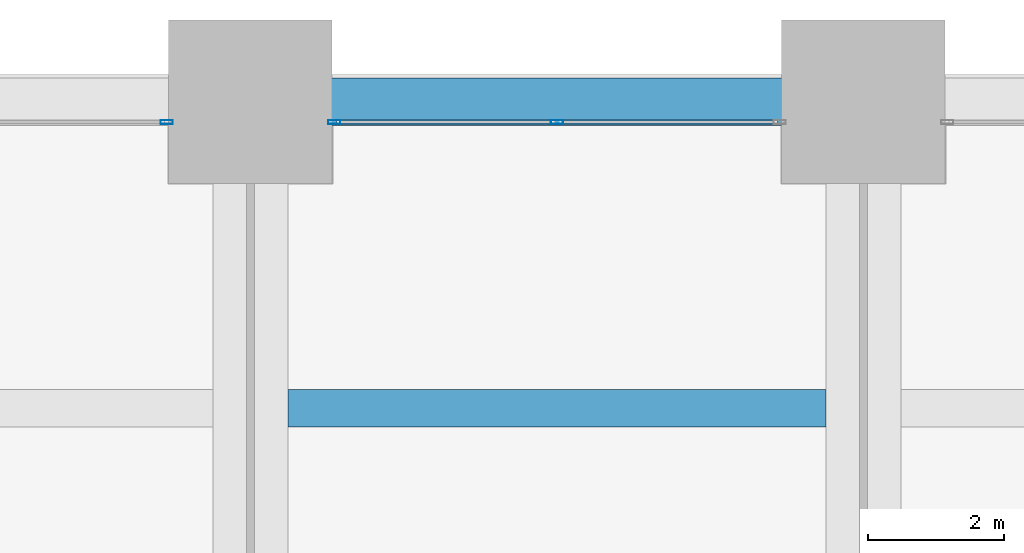
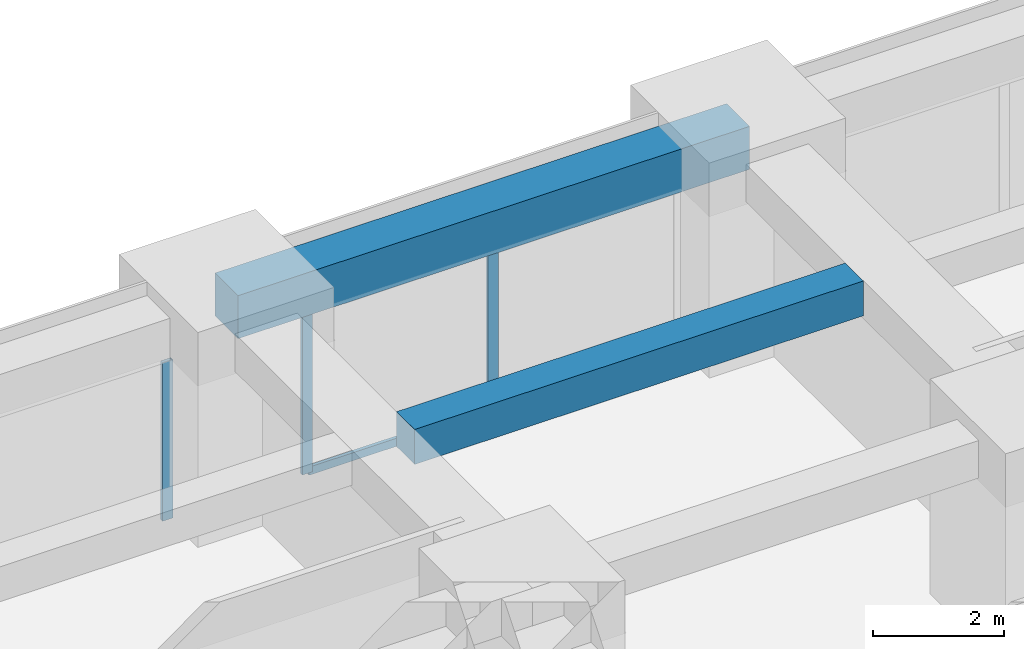
# One storey, part 30 of 45: 4 members, 2 beams, 2 elements without a shape of their own.
"""IFC4 building model written with IfcOpenShell, lengths in metres."""

from ifc_helpers import new_model, si_unit, direction, frame, origin, origin_2d, place, context, subcontext, project, spatial, rectangle, hollow_rectangle, extrude, material, material_profile, profile_set, type_object, element, aggregate, save


model = new_model("IFC4")

# Units and contexts
model_context = context("Model", 3, precision=1e-05, world=origin(), true_north=direction((0.0, 1.0)))
body_context = subcontext(model_context, "Body", "Model", "MODEL_VIEW")
ifc_project = project(units=[si_unit("LENGTHUNIT", "METRE"), si_unit("AREAUNIT", "SQUARE_METRE"), si_unit("VOLUMEUNIT", "CUBIC_METRE"), si_unit("PLANEANGLEUNIT", "RADIAN"), si_unit("MASSUNIT", "GRAM", prefix="KILO")], contexts=[model_context])

# Site, building, storey
site_placement = place(None, origin())
site = spatial("IfcSite", under=ifc_project, at=site_placement, CompositionType="ELEMENT")
building_placement = place(site_placement, origin())
building = spatial("IfcBuilding", under=site, at=building_placement, Name="Zorevar Civic Tower", CompositionType="ELEMENT")
storey_placement = place(building_placement, frame((0.0, 0.0, 27.800048828125)))
storey = spatial("IfcBuildingStorey", under=building, at=storey_placement, Name="L06", CompositionType="ELEMENT", Elevation=27.800048828125)

# Beam
ifc_material_1 = material(Name="Concrete C50/60", Category="concrete")
ifc_material_profile_1 = material_profile(ifc_material_1, rectangle(XDim=0.550048828125, YDim=0.64990234375, at=origin_2d()), Name="RC 550x650")
ifc_profile_set_1 = profile_set([ifc_material_profile_1], Name="Concrete C50/60")
beam_type_1 = type_object("IfcBeamType", Name="Beam RC 550x650", PredefinedType="BEAM", material=ifc_profile_set_1)
beam_1_placement = place(storey_placement, frame((27.550048828125, 49.5, 3.425048828125), z_axis=(1.0, 0.0, 0.0), x_axis=(0.0, 1.0, 0.0)))
element("IfcBeam", 1, at=beam_1_placement, inside=storey, type_object=beam_type_1, Name="Secondary beam L07", PredefinedType="BEAM", context=body_context, shape_type="SweptSolid", body=[
    extrude(rectangle(XDim=0.550048828125, YDim=0.64990234375, at=origin_2d()), origin(), (0.0, 0.0, 1.0), 7.89990234375),
])

# Curtain wall, member
ifc_material_2 = material(Name="Dark grey solar-control glass in black aluminium frame", Category="aluminium")
curtain_wall_type = type_object("IfcCurtainWallType", Name="Curtain wall CW2 low zone", PredefinedType="NOTDEFINED", material=ifc_material_2)
curtain_wall_1_placement = place(storey_placement, origin())
curtain_wall_1 = element("IfcCurtainWall", 2, at=curtain_wall_1_placement, inside=storey, type_object=curtain_wall_type, Name="CW2 L06", PredefinedType="NOTDEFINED")
ifc_material_3 = material(Name="Aluminium, black anodised", Category="aluminium")
ifc_material_profile_2 = material_profile(ifc_material_3, hollow_rectangle(XDim=0.06005859375, YDim=0.179931640625, WallThickness=0.00390625, at=origin_2d()), Name="AL 180x60x4")
ifc_profile_set_2 = profile_set([ifc_material_profile_2], Name="Aluminium, black anodised")
member_type_1 = type_object("IfcMemberType", Name="CW2 mullion AL 180x60x4", PredefinedType="MULLION", material=ifc_profile_set_2)
member_1_placement = place(storey_placement, frame((25.77001953125, 53.699951171875, 0.0), z_axis=(0.0, 0.0, 1.0), x_axis=(0.0, 1.0, 0.0)))
member_1 = element("IfcMember", 3, at=member_1_placement, type_object=member_type_1, Name="CW2 mullion 3", PredefinedType="MULLION", context=body_context, shape_type="SweptSolid", body=[
    extrude(hollow_rectangle(XDim=0.06005859375, YDim=0.179931640625, WallThickness=0.00390625, at=origin_2d()), origin(), (0.0, 0.0, 1.0), 2.949951171875),
])
aggregate(curtain_wall_1, [member_1])

# Curtain wall, members
curtain_wall_2_placement = place(storey_placement, origin())
curtain_wall_2 = element("IfcCurtainWall", 4, at=curtain_wall_2_placement, inside=storey, type_object=curtain_wall_type, Name="CW2 L06", PredefinedType="NOTDEFINED")
member_2_placement = place(storey_placement, frame((28.22998046875, 53.699951171875, 0.0), z_axis=(0.0, 0.0, 1.0), x_axis=(0.0, 1.0, 0.0)))
member_2 = element("IfcMember", 5, at=member_2_placement, type_object=member_type_1, Name="CW2 mullion 1", PredefinedType="MULLION", context=body_context, shape_type="SweptSolid", body=[
    extrude(hollow_rectangle(XDim=0.06005859375, YDim=0.179931640625, WallThickness=0.00390625, at=origin_2d()), origin(), (0.0, 0.0, 1.0), 2.949951171875),
])
member_3_placement = place(storey_placement, frame((31.5, 53.699951171875, 0.06005859375), z_axis=(0.0, 0.0, 1.0), x_axis=(0.0, 1.0, 0.0)))
member_3 = element("IfcMember", 6, at=member_3_placement, type_object=member_type_1, Name="CW2 mullion 2", PredefinedType="MULLION", context=body_context, shape_type="SweptSolid", body=[
    extrude(hollow_rectangle(XDim=0.06005859375, YDim=0.179931640625, WallThickness=0.00390625, at=origin_2d()), origin(), (0.0, 0.0, 1.0), 2.889892578125),
])
ifc_material_4 = material(Name="Aluminium, black anodised", Category="aluminium")
ifc_material_profile_3 = material_profile(ifc_material_4, hollow_rectangle(XDim=0.06005859375, YDim=0.14990234375, WallThickness=0.00390625, at=origin_2d()), Name="AL 150x60x4")
ifc_profile_set_3 = profile_set([ifc_material_profile_3], Name="Aluminium, black anodised")
member_type_2 = type_object("IfcMemberType", Name="CW2 transom AL 150x60x4", PredefinedType="USERDEFINED", material=ifc_profile_set_3)
member_4_placement = place(storey_placement, frame((28.260009765625, 53.699951171875, 0.030029296875), z_axis=(1.0, 0.0, 0.0), x_axis=(0.0, 1.0, 0.0)))
member_4 = element("IfcMember", 7, at=member_4_placement, type_object=member_type_2, Name="CW2 sill transom", ObjectType="TRANSOM", PredefinedType="USERDEFINED", context=body_context, shape_type="SweptSolid", body=[
    extrude(hollow_rectangle(XDim=0.06005859375, YDim=0.14990234375, WallThickness=0.00390625, at=origin_2d()), origin(), (0.0, 0.0, 1.0), 6.47998046875),
])
aggregate(curtain_wall_2, [member_2, member_3, member_4])

# Beam
ifc_material_5 = material(Name="Concrete C50/60", Category="concrete")
ifc_material_profile_4 = material_profile(ifc_material_5, rectangle(XDim=0.699951171875, YDim=0.800048828125, at=origin_2d()), Name="RC 700x800")
ifc_profile_set_4 = profile_set([ifc_material_profile_4], Name="Concrete C50/60")
beam_type_2 = type_object("IfcBeamType", Name="Edge beam RC 700x800", PredefinedType="SPANDREL", material=ifc_profile_set_4)
beam_2_placement = place(storey_placement, frame((27.0, 54.0, 3.349853515625), z_axis=(1.0, 0.0, 0.0), x_axis=(0.0, 1.0, 0.0)))
element("IfcBeam", 8, at=beam_2_placement, inside=storey, type_object=beam_type_2, Name="Edge beam L07", PredefinedType="SPANDREL", context=body_context, shape_type="SweptSolid", body=[
    extrude(rectangle(XDim=0.699951171875, YDim=0.800048828125, at=origin_2d()), origin(), (0.0, 0.0, 1.0), 9.0),
])

save(model, "model.ifc")
